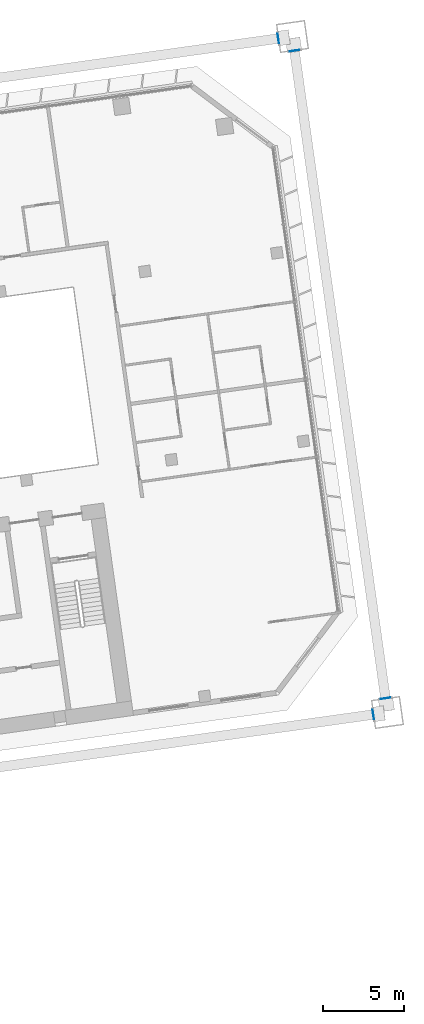
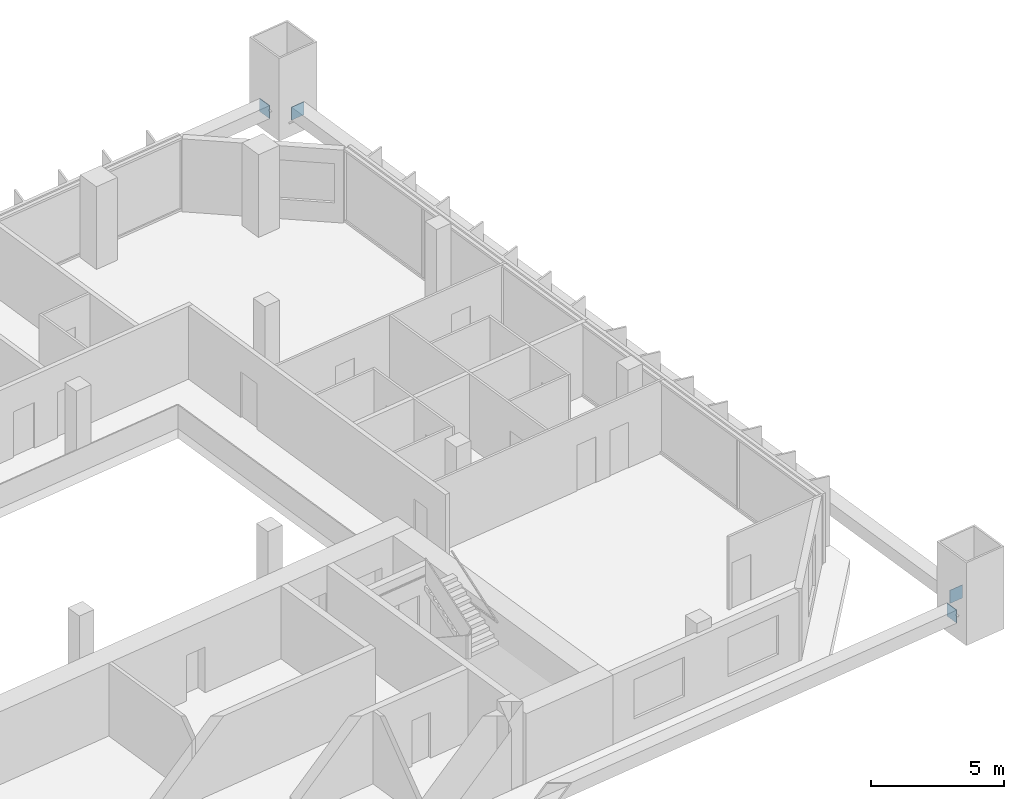
# One storey, part 44 of 46: 4 discrete accessories.
"""IFC4 building model written with IfcOpenShell, lengths in metres."""

from ifc_helpers import new_model, si_unit, direction, frame, origin, origin_2d, place, context, subcontext, project, spatial, rectangle, extrude, material, material_profile, profile_set, type_object, element, save


model = new_model("IFC4")

# Units and contexts
model_context = context("Model", 3, precision=1e-05, world=origin(), true_north=direction((0.0, 1.0)))
body_context = subcontext(model_context, "Body", "Model", "MODEL_VIEW")
ifc_project = project(units=[si_unit("LENGTHUNIT", "METRE"), si_unit("AREAUNIT", "SQUARE_METRE"), si_unit("VOLUMEUNIT", "CUBIC_METRE"), si_unit("PLANEANGLEUNIT", "RADIAN"), si_unit("MASSUNIT", "GRAM", prefix="KILO")], contexts=[model_context])

# Site, building, storey
site_placement = place(None, origin())
site = spatial("IfcSite", under=ifc_project, at=site_placement, CompositionType="ELEMENT")
building_placement = place(site_placement, origin())
building = spatial("IfcBuilding", under=site, at=building_placement, Name="Mirante Cascada Hotel Towers", CompositionType="ELEMENT")
storey_placement = place(building_placement, frame((0.0, 0.0, 39.5)))
storey = spatial("IfcBuildingStorey", under=building, at=storey_placement, Name="L06", CompositionType="ELEMENT", Elevation=39.5)

# Discrete accessories
ifc_material = material(Name="Steel ASTM A572 Gr 50", Category="steel")
ifc_material_profile = material_profile(ifc_material, rectangle(XDim=0.6, YDim=0.6, at=origin_2d()), Name="Connection plate 600x600x25 ASTM A572 Gr 50")
ifc_profile_set = profile_set([ifc_material_profile], Name="Steel ASTM A572 Gr 50")
discrete_accessory_type = type_object("IfcDiscreteAccessoryType", Name="Connection plate 600x600x25 ASTM A572 Gr 50", PredefinedType="BRACKET", material=ifc_profile_set)
for number, where, z_axis, x_axis, name in (
    (1, (99.4734, 28.9702, 1.0), (0.9901092, 0.1402989, 0.0), (-0.1402989, 0.9901092, 0.0), "Connection plate NCH"),
    (2, (105.3187, -12.621, 1.0), (0.9906585, 0.136366, 0.0), (-0.136366, 0.9906585, 0.0), "Connection plate NCH"),
):
    element("IfcDiscreteAccessory", number, at=place(storey_placement, frame(where, z_axis=z_axis, x_axis=x_axis)), inside=storey, type_object=discrete_accessory_type, Name=name, PredefinedType="BRACKET", context=body_context, shape_type="SweptSolid", body=[
        extrude(rectangle(XDim=0.6, YDim=0.6, at=origin_2d()), origin(), (0.0, 0.0, 1.0), 0.0249),
    ])
for number, where, z_axis, x_axis, name in (
    (3, (106.0817, -11.6378, 1.0), (-0.1358263, 0.9907327, 0.0), (-0.9907327, -0.1358263, 0.0), "Connection plate NCH"),
    (4, (100.4814, 28.2106, 1.0), (-0.1397442, 0.9901876, 0.0), (-0.9901876, -0.1397442, 0.0), "Connection plate NCH"),
):
    element("IfcDiscreteAccessory", number, at=place(storey_placement, frame(where, z_axis=z_axis, x_axis=x_axis)), inside=storey, type_object=discrete_accessory_type, Name=name, PredefinedType="BRACKET", context=body_context, shape_type="SweptSolid", body=[
        extrude(rectangle(XDim=0.6, YDim=0.6, at=origin_2d()), origin(), (0.0, 0.0, 1.0), 0.025),
    ])

save(model, "model.ifc")
